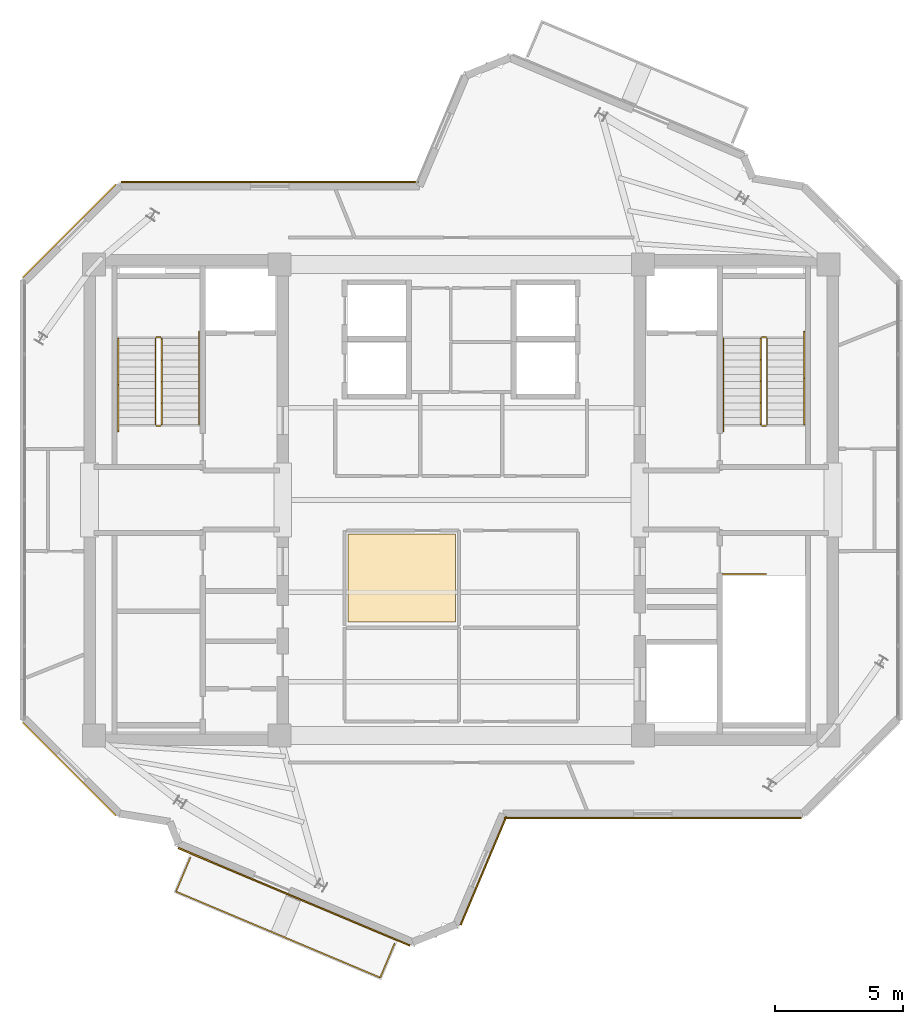
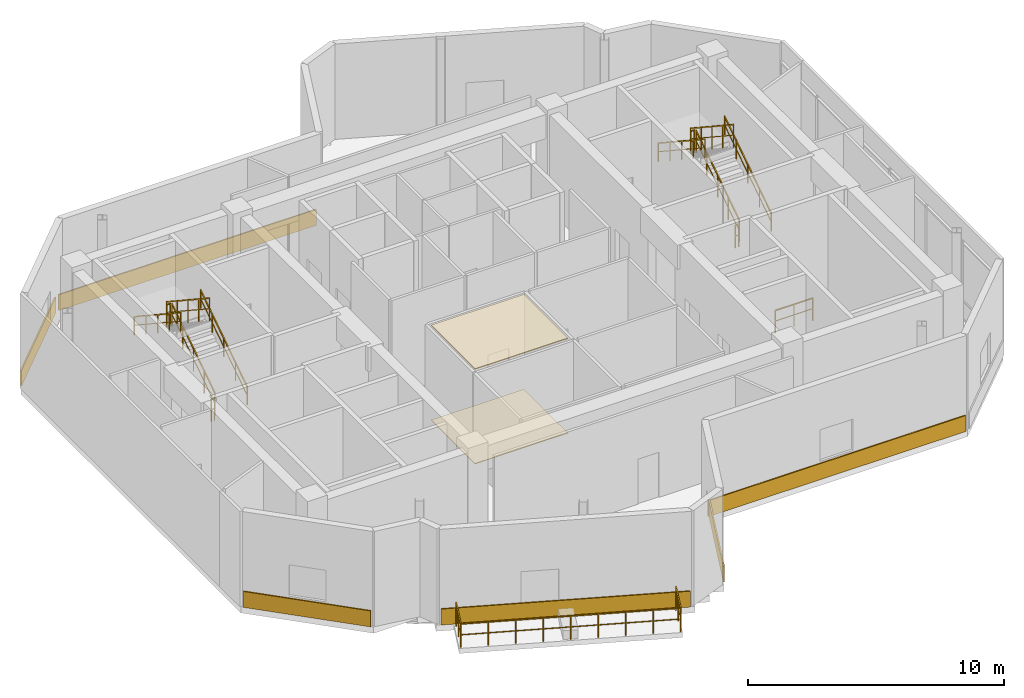
# One storey, part 10 of 11: 16 railings, 8 coverings.
"""IFC4 building model written with IfcOpenShell, lengths in metres."""

import ifcopenshell
import ifcopenshell.guid

model = None  # the IFC model being written
_history = None  # IfcOwnerHistory: only IFC2X3 demands one
_inside = {}  # id of a spatial element -> (the spatial element, [elements in it])
_under = {}  # id of a project, library or spatial element -> (it, [spatial elements below it])
_declared = {}  # id of a project -> (the project, [libraries it declares])
_typed = {}  # id of a type object -> (the type object, [elements of that type])
_made_of = {}  # id of a material, layer set ... -> (it, [elements and type objects made of it])


def new_model(schema):
    """Start an empty IFC model of exactly this schema.

    Asked for "IFC4X3", IfcOpenShell would pick the latest addendum, in which some entities
    have other attributes; the version numbers below select the first issue.
    IFC2X3 requires an IfcOwnerHistory on every rooted entity: one is made here for all.
    """
    global model, _history
    if schema == "IFC4X3":
        model = ifcopenshell.file(schema_version=(4, 3, 0, 0))
    else:
        model = ifcopenshell.file(schema=schema)
    _inside.clear()
    _under.clear()
    _declared.clear()
    _typed.clear()
    _made_of.clear()
    _history = None
    if model.schema == "IFC2X3":
        org = make("IfcOrganization", Name="unknown")
        user = make(
            "IfcPersonAndOrganization",
            ThePerson=make("IfcPerson", FamilyName="unknown"),
            TheOrganization=org,
        )
        app = make(
            "IfcApplication",
            ApplicationDeveloper=org,
            Version="unknown",
            ApplicationFullName="unknown",
            ApplicationIdentifier="unknown",
        )
        _history = make(
            "IfcOwnerHistory",
            OwningUser=user,
            OwningApplication=app,
            ChangeAction="ADDED",
            CreationDate=0,
        )
    return model


def make(cls, **values):
    """One entity of the class cls with the attributes given. An attribute that is None is left unset."""
    return model.create_entity(
        cls, **{name: value for name, value in values.items() if value is not None}
    )


def rooted(cls, **values):
    """An entity with a GlobalId (a new one), such as an element, a storey or a relation."""
    return make(cls, GlobalId=ifcopenshell.guid.new(), OwnerHistory=_history, **values)


def si_unit(unit_type, name, prefix=None):
    """IfcSIUnit, for example si_unit("LENGTHUNIT", "METRE", prefix="MILLI")."""
    return make("IfcSIUnit", UnitType=unit_type, Prefix=prefix, Name=name)


def assignment(units):
    """IfcUnitAssignment: the units of a project."""
    return None if units is None else make("IfcUnitAssignment", Units=units)


def point(xyz):
    """IfcCartesianPoint."""
    return None if xyz is None else make("IfcCartesianPoint", Coordinates=xyz)


def direction(xyz):
    """IfcDirection."""
    return None if xyz is None else make("IfcDirection", DirectionRatios=xyz)


def frame(location, z_axis=None, x_axis=None):
    """IfcAxis2Placement3D, a coordinate frame: its origin and axes. An axis left out is left unset."""
    return make(
        "IfcAxis2Placement3D",
        Location=point(location),
        Axis=direction(z_axis),
        RefDirection=direction(x_axis),
    )


def frame_2d(location, x_axis=None):
    """IfcAxis2Placement2D, a coordinate frame in the plane: its origin and x axis."""
    return make(
        "IfcAxis2Placement2D", Location=point(location), RefDirection=direction(x_axis)
    )


def origin():
    """The frame at (0, 0, 0) with its axes left unset."""
    return frame((0.0, 0.0, 0.0))


def origin_2d():
    """The frame at (0, 0) in the plane with its x axis left unset."""
    return frame_2d((0.0, 0.0))


def place(relative_to, where):
    """IfcLocalPlacement: puts the frame where relative to a parent placement (None: the world)."""
    return make(
        "IfcLocalPlacement", PlacementRelTo=relative_to, RelativePlacement=where
    )


def context(
    kind, dimensions, precision=None, world=None, true_north=None, identifier=None
):
    """IfcGeometricRepresentationContext, for example the 3D "Model" context."""
    return make(
        "IfcGeometricRepresentationContext",
        ContextIdentifier=identifier,
        ContextType=kind,
        CoordinateSpaceDimension=dimensions,
        Precision=precision,
        WorldCoordinateSystem=world,
        TrueNorth=true_north,
    )


def subcontext(parent, identifier, kind, view, scale=None):
    """IfcGeometricRepresentationSubContext, for example "Body" below "Model"."""
    return make(
        "IfcGeometricRepresentationSubContext",
        ContextIdentifier=identifier,
        ContextType=kind,
        ParentContext=parent,
        TargetScale=scale,
        TargetView=view,
    )


def project(units=None, contexts=None):
    """IfcProject with its units and contexts."""
    return rooted(
        "IfcProject",
        Name="project",
        RepresentationContexts=contexts,
        UnitsInContext=assignment(units),
    )


def spatial(cls, under=None, at=None, **own):
    """A site, building, storey or space (cls), placed at a placement, below another one or the project."""
    s = rooted(cls, ObjectPlacement=at, **own)
    if under is not None:
        _under.setdefault(under.id(), (under, []))[1].append(s)
    return s


def polyline(points):
    """IfcPolyline through the points."""
    return make("IfcPolyline", Points=[point(p) for p in points])


def profile(cls, at=None, kind="AREA", **sizes):
    """A parametric profile (cls). Its sizes go by their IFC names, for example OverallWidth=200.0."""
    return make(cls, ProfileType=kind, Position=at, **sizes)


def rectangle(**sizes):
    """IfcRectangleProfileDef."""
    return profile("IfcRectangleProfileDef", **sizes)


def outline(outer, holes=None, kind="AREA"):
    """IfcArbitraryClosedProfileDef: a profile drawn as a closed curve; with holes, ...WithVoids."""
    if holes is None:
        return make("IfcArbitraryClosedProfileDef", ProfileType=kind, OuterCurve=outer)
    return make(
        "IfcArbitraryProfileDefWithVoids",
        ProfileType=kind,
        OuterCurve=outer,
        InnerCurves=holes,
    )


def extrude(swept, where, along, depth):
    """IfcExtrudedAreaSolid: the profile swept, set in the frame where, extruded along a direction by depth."""
    return make(
        "IfcExtrudedAreaSolid",
        SweptArea=swept,
        Position=where,
        ExtrudedDirection=direction(along),
        Depth=depth,
    )


def shape(context_of_items, identifier, shape_type, items):
    """IfcShapeRepresentation: the items that make up one representation, for example the "Body"."""
    return make(
        "IfcShapeRepresentation",
        ContextOfItems=context_of_items,
        RepresentationIdentifier=identifier,
        RepresentationType=shape_type,
        Items=items,
    )


def source(mapping_origin, context_of_items, identifier, shape_type, items):
    """IfcRepresentationMap: a shape defined once, which mapped items show again and again."""
    return make(
        "IfcRepresentationMap",
        MappingOrigin=mapping_origin,
        MappedRepresentation=shape(context_of_items, identifier, shape_type, items),
    )


def transform(
    local_origin,
    x_axis=None,
    y_axis=None,
    z_axis=None,
    scale=None,
    scale2=None,
    scale3=None,
    uniform=True,
):
    """IfcCartesianTransformationOperator3D, or its non-uniform kind. x_axis, y_axis, z_axis: its Axis1, 2, 3."""
    if uniform:
        return make(
            "IfcCartesianTransformationOperator3D",
            Axis1=direction(x_axis),
            Axis2=direction(y_axis),
            LocalOrigin=point(local_origin),
            Scale=scale,
            Axis3=direction(z_axis),
        )
    return make(
        "IfcCartesianTransformationOperator3DnonUniform",
        Axis1=direction(x_axis),
        Axis2=direction(y_axis),
        LocalOrigin=point(local_origin),
        Scale=scale,
        Axis3=direction(z_axis),
        Scale2=scale2,
        Scale3=scale3,
    )


def mapped(mapping_source, mapping_target):
    """IfcMappedItem: shows the shape of a source again, moved by a transform."""
    return make(
        "IfcMappedItem", MappingSource=mapping_source, MappingTarget=mapping_target
    )


def material(Name=None, Category=None):
    """IfcMaterial."""
    return make("IfcMaterial", Name=Name, Category=Category)


def layer(
    of_material, thickness, ventilated=None, Name=None, Category=None, Priority=None
):
    """IfcMaterialLayer: one layer of a wall or slab, of a material (None: an air gap)."""
    return make(
        "IfcMaterialLayer",
        Material=of_material,
        LayerThickness=thickness,
        IsVentilated=ventilated,
        Name=Name,
        Category=Category,
        Priority=Priority,
    )


def layer_set(layers, Name=None):
    """IfcMaterialLayerSet."""
    return make("IfcMaterialLayerSet", MaterialLayers=layers, LayerSetName=Name)


def made_of(thing, what):
    """Note that an element or type object is made of a material, layer set ...; save() writes the relation."""
    if what is not None:
        _made_of.setdefault(what.id(), (what, []))[1].append(thing)
    return thing


def type_object(cls, material=None, **own):
    """A type object (cls), such as IfcWallType, which elements share."""
    return made_of(rooted(cls, **own), material)


def element(
    cls,
    number,
    at=None,
    inside=None,
    cuts=None,
    type_object=None,
    material=None,
    context=None,
    identifier="Body",
    shape_type=None,
    held_by="IfcProductDefinitionShape",
    body=None,
    shapes=None,
    **own,
):
    """One element of the class cls, such as IfcWall. Its Tag is "e" and its number.

    at: its placement. inside: the storey or other place that contains it. cuts: it is an
    opening in that element (IfcRelVoidsElement). A single representation is given by context,
    identifier, shape_type and body (its items); several are given by shapes. held_by: the class
    of the entity that holds the representations. save() writes the other relations.
    """
    e = rooted(cls, Tag="e%d" % number, ObjectPlacement=at, **own)
    if body is not None:
        shapes = [shape(context, identifier, shape_type, body)]
    if shapes is not None:
        e.Representation = make(held_by, Representations=shapes)
    if inside is not None:
        _inside.setdefault(inside.id(), (inside, []))[1].append(e)
    if cuts is not None:
        rooted(
            "IfcRelVoidsElement", RelatingBuildingElement=cuts, RelatedOpeningElement=e
        )
    if type_object is not None:
        _typed.setdefault(type_object.id(), (type_object, []))[1].append(e)
    return made_of(e, material)


def aggregate(whole, parts):
    """IfcRelAggregates: a whole, such as a stair, and the parts it consists of."""
    return rooted("IfcRelAggregates", RelatingObject=whole, RelatedObjects=parts)


def save(model, path):
    """Write the relations noted so far, then the file.

    IfcRelAggregates (storeys below a building ...), IfcRelContainedInSpatialStructure (elements
    in a storey), IfcRelDefinesByType, IfcRelAssociatesMaterial and IfcRelDeclares: one each for
    every whole, place, type object, material and project.
    """
    for whole, parts in _under.values():
        aggregate(whole, parts)
    for where, things in _inside.values():
        rooted(
            "IfcRelContainedInSpatialStructure",
            RelatedElements=things,
            RelatingStructure=where,
        )
    for kind, things in _typed.values():
        rooted("IfcRelDefinesByType", RelatedObjects=things, RelatingType=kind)
    for what, things in _made_of.values():
        rooted("IfcRelAssociatesMaterial", RelatedObjects=things, RelatingMaterial=what)
    for by, libraries in _declared.values():
        rooted("IfcRelDeclares", RelatingContext=by, RelatedDefinitions=libraries)
    model.write(path)


model = new_model("IFC4")

# Units and contexts
model_context = context("Model", 3, precision=1e-05, world=origin(), true_north=direction((0.0, 1.0)))
body_context = subcontext(model_context, "Body", "Model", "MODEL_VIEW")
ifc_project = project(units=[si_unit("LENGTHUNIT", "METRE"), si_unit("AREAUNIT", "SQUARE_METRE"), si_unit("VOLUMEUNIT", "CUBIC_METRE"), si_unit("PLANEANGLEUNIT", "RADIAN"), si_unit("MASSUNIT", "GRAM", prefix="KILO")], contexts=[model_context])

# Site, building, storey
site_placement = place(None, origin())
site = spatial("IfcSite", under=ifc_project, at=site_placement, CompositionType="ELEMENT")
building_placement = place(site_placement, origin())
building = spatial("IfcBuilding", under=site, at=building_placement, Name="Zahravan Cultural Tower", CompositionType="ELEMENT")
storey_placement = place(building_placement, frame((0.0, 0.0, 365.85009765625)))
storey = spatial("IfcBuildingStorey", under=building, at=storey_placement, Name="L89", CompositionType="ELEMENT", Elevation=365.85009765625)

# Coverings
ifc_material_1 = material(Name="Acoustic mineral fibreboard")
ifc_layer_1 = layer(ifc_material_1, 0.0400390625)
ifc_layer_set_1 = layer_set([ifc_layer_1], Name="Acoustic mineral fibreboard")
covering_type_1 = type_object("IfcCoveringType", Name="COV-CEIL-AC20", PredefinedType="CEILING", material=ifc_layer_set_1)
covering_1_placement = place(storey_placement, frame((0.0, 0.0, 4.510009765625)))
element("IfcCovering", 1, at=covering_1_placement, inside=storey, type_object=covering_type_1, Name="L89 Acoustic Suspended Ceiling", PredefinedType="CEILING", context=body_context, shape_type="SweptSolid", body=[
    extrude(outline(polyline([(35.77001953125, 25.669921875), (31.580078125, 25.669921875), (31.580078125, 22.22998046875), (35.77001953125, 22.22998046875), (35.77001953125, 25.669921875)])), origin(), (0.0, 0.0, 1.0), 0.039794921875),
])
ifc_material_2 = material(Name="Terrazzo flooring")
ifc_layer_2 = layer(ifc_material_2, 0.02490234375)
ifc_layer_set_2 = layer_set([ifc_layer_2], Name="Terrazzo flooring")
covering_type_2 = type_object("IfcCoveringType", Name="COV-FLR-TZ25", PredefinedType="FLOORING", material=ifc_layer_set_2)
covering_2_placement = place(storey_placement, origin())
element("IfcCovering", 2, at=covering_2_placement, inside=storey, type_object=covering_type_2, Name="L89 Polished Terrazzo Flooring", PredefinedType="FLOORING", context=body_context, shape_type="SweptSolid", body=[
    extrude(outline(polyline([(35.77001953125, 25.669921875), (31.580078125, 25.669921875), (31.580078125, 22.22998046875), (35.77001953125, 22.22998046875), (35.77001953125, 25.669921875)])), origin(), (0.0, 0.0, 1.0), 0.02490234375),
])

# Railings
ifc_material_3 = material(Name="Steel ASTM A572 Grade 50", Category="steel")
railing_type_1 = type_object("IfcRailingType", Name="RL-BAL-1150", PredefinedType="BALUSTRADE", material=ifc_material_3)
railing_1_placement = place(storey_placement, frame((32.83349609375, 8.3349609375, 0.0)))
element("IfcRailing", 3, at=railing_1_placement, inside=storey, type_object=railing_type_1, Name="L89 Edge Balustrade GRD-TR-L89-SW-01", PredefinedType="BALUSTRADE", context=body_context, shape_type="SweptSolid", body=[
    extrude(rectangle(XDim=0.05, YDim=0.05, at=origin_2d()), frame((0.0, 0.0, 1.125), z_axis=(-0.921528145431, 0.388311572295, 0.0), x_axis=(-0.388311572295, -0.921528145431, 0.0)), (0.0, 0.0, 1.0), 8.66015625),
    extrude(rectangle(XDim=0.032, YDim=0.032, at=origin_2d()), frame((0.0, 0.0, 0.597900390625), z_axis=(-0.921528145431, 0.388311572295, 0.0), x_axis=(-0.388311572295, -0.921528145431, 0.0)), (0.0, 0.0, 1.0), 8.66015625),
    extrude(rectangle(XDim=0.04, YDim=0.04, at=origin_2d()), origin(), (0.0, 0.0, 1.0), 1.14990234375),
    extrude(rectangle(XDim=0.04, YDim=0.04, at=origin_2d()), frame((-0.99755859375, 0.42041015625, 0.0)), (0.0, 0.0, 1.0), 1.14990234375),
    extrude(rectangle(XDim=0.04, YDim=0.04, at=origin_2d()), frame((-1.9951171875, 0.8408203125, 0.0)), (0.0, 0.0, 1.0), 1.14990234375),
    extrude(rectangle(XDim=0.04, YDim=0.04, at=origin_2d()), frame((-2.99267578125, 1.260986328125, 0.0)), (0.0, 0.0, 1.0), 1.14990234375),
    extrude(rectangle(XDim=0.04, YDim=0.04, at=origin_2d()), frame((-3.990234375, 1.681396484375, 0.0)), (0.0, 0.0, 1.0), 1.14990234375),
    extrude(rectangle(XDim=0.04, YDim=0.04, at=origin_2d()), frame((-4.98779296875, 2.101806640625, 0.0)), (0.0, 0.0, 1.0), 1.14990234375),
    extrude(rectangle(XDim=0.04, YDim=0.04, at=origin_2d()), frame((-5.9853515625, 2.52197265625, 0.0)), (0.0, 0.0, 1.0), 1.14990234375),
    extrude(rectangle(XDim=0.04, YDim=0.04, at=origin_2d()), frame((-6.98291015625, 2.9423828125, 0.0)), (0.0, 0.0, 1.0), 1.14990234375),
    extrude(rectangle(XDim=0.04, YDim=0.04, at=origin_2d()), frame((-7.98046875, 3.36279296875, 0.0)), (0.0, 0.0, 1.0), 1.14990234375),
])
railing_2_placement = place(storey_placement, frame((24.85302734375, 11.69775390625, 0.0)))
element("IfcRailing", 4, at=railing_2_placement, inside=storey, type_object=railing_type_1, Name="L89 Edge Balustrade GRD-TR-L89-SW-02", PredefinedType="BALUSTRADE", context=body_context, shape_type="SweptSolid", body=[
    extrude(rectangle(XDim=0.05, YDim=0.05, at=origin_2d()), frame((0.0, 0.0, 1.125), z_axis=(0.388282814851, 0.921540262653, 0.0), x_axis=(-0.921540262653, 0.388282814851, 0.0)), (0.0, 0.0, 1.0), 1.449951171875),
    extrude(rectangle(XDim=0.032, YDim=0.032, at=origin_2d()), frame((0.0, 0.0, 0.597900390625), z_axis=(0.388282814851, 0.921540262653, 0.0), x_axis=(-0.921540262653, 0.388282814851, 0.0)), (0.0, 0.0, 1.0), 1.449951171875),
    extrude(rectangle(XDim=0.04, YDim=0.04, at=origin_2d()), origin(), (0.0, 0.0, 1.0), 1.14990234375),
    extrude(rectangle(XDim=0.04, YDim=0.04, at=origin_2d()), frame((0.281494140625, 0.66796875, 0.0)), (0.0, 0.0, 1.0), 1.14990234375),
    extrude(rectangle(XDim=0.04, YDim=0.04, at=origin_2d()), frame((0.56298828125, 1.336181640625, 0.0)), (0.0, 0.0, 1.0), 1.14990234375),
])
railing_3_placement = place(storey_placement, frame((33.396484375, 9.671142578125, 0.0)))
element("IfcRailing", 5, at=railing_3_placement, inside=storey, type_object=railing_type_1, Name="L89 Edge Balustrade GRD-TR-L89-SW-03", PredefinedType="BALUSTRADE", context=body_context, shape_type="SweptSolid", body=[
    extrude(rectangle(XDim=0.05, YDim=0.05, at=origin_2d()), frame((0.0, 0.0, 1.125), z_axis=(-0.388282814851, -0.921540262653, 0.0), x_axis=(0.921540262653, -0.388282814851, 0.0)), (0.0, 0.0, 1.0), 1.449951171875),
    extrude(rectangle(XDim=0.032, YDim=0.032, at=origin_2d()), frame((0.0, 0.0, 0.597900390625), z_axis=(-0.388282814851, -0.921540262653, 0.0), x_axis=(0.921540262653, -0.388282814851, 0.0)), (0.0, 0.0, 1.0), 1.449951171875),
    extrude(rectangle(XDim=0.04, YDim=0.04, at=origin_2d()), origin(), (0.0, 0.0, 1.0), 1.14990234375),
    extrude(rectangle(XDim=0.04, YDim=0.04, at=origin_2d()), frame((-0.281494140625, -0.66796875, 0.0)), (0.0, 0.0, 1.0), 1.14990234375),
    extrude(rectangle(XDim=0.04, YDim=0.04, at=origin_2d()), frame((-0.56298828125, -1.336181640625, 0.0)), (0.0, 0.0, 1.0), 1.14990234375),
])
railing_type_2 = type_object("IfcRailingType", Name="RL-STAIR-GRD1150", PredefinedType="BALUSTRADE", material=ifc_material_3)
railing_4_placement = place(storey_placement, frame((24.300048828125, 29.949951171875, 0.1845703125)))
element("IfcRailing", 6, at=railing_4_placement, inside=storey, type_object=railing_type_2, Name="L89 ST-W1 stair guard 1", PredefinedType="BALUSTRADE", context=body_context, shape_type="SweptSolid", body=[
    extrude(rectangle(XDim=0.05, YDim=0.05, at=origin_2d()), frame((0.0, 0.0, 1.0751953125), z_axis=(0.0, 0.834876476806, 0.550437342915), x_axis=(-1.0, 0.0, 0.0)), (0.0, 0.0, 1.0), 4.024658203125),
    extrude(rectangle(XDim=0.032, YDim=0.032, at=origin_2d()), frame((0.0, 0.0, 0.572021484375), z_axis=(0.0, 0.834876476806, 0.550437342915), x_axis=(-1.0, 0.0, 0.0)), (0.0, 0.0, 1.0), 4.024658203125),
    extrude(rectangle(XDim=0.04, YDim=0.04, at=origin_2d()), origin(), (0.0, 0.0, 1.0), 1.10009765625),
    extrude(rectangle(XDim=0.04, YDim=0.04, at=origin_2d()), frame((0.0, 0.840087890625, 0.5537109375)), (0.0, 0.0, 1.0), 1.10009765625),
    extrude(rectangle(XDim=0.04, YDim=0.04, at=origin_2d()), frame((0.0, 1.68017578125, 1.107666015625)), (0.0, 0.0, 1.0), 1.10009765625),
    extrude(rectangle(XDim=0.04, YDim=0.04, at=origin_2d()), frame((0.0, 2.52001953125, 1.66162109375)), (0.0, 0.0, 1.0), 1.10009765625),
    extrude(rectangle(XDim=0.04, YDim=0.04, at=origin_2d()), frame((0.0, 3.360107421875, 2.21533203125)), (0.0, 0.0, 1.0), 1.10009765625),
])
railing_5_placement = place(storey_placement, frame((24.25, 33.360107421875, 2.39990234375)))
element("IfcRailing", 7, at=railing_5_placement, inside=storey, type_object=railing_type_2, Name="L89 ST-W1 stair guard 2", PredefinedType="BALUSTRADE", context=body_context, shape_type="SweptSolid", body=[
    extrude(rectangle(XDim=0.05, YDim=0.05, at=origin_2d()), frame((0.0, 0.0, 1.0751953125), z_axis=(-1.0, 0.0, 0.0), x_axis=(0.0, -1.0, 0.0)), (0.0, 0.0, 1.0), 0.14990234375),
    extrude(rectangle(XDim=0.032, YDim=0.032, at=origin_2d()), frame((0.0, 0.0, 0.572021484375), z_axis=(-1.0, 0.0, 0.0), x_axis=(0.0, -1.0, 0.0)), (0.0, 0.0, 1.0), 0.14990234375),
    extrude(rectangle(XDim=0.04, YDim=0.04, at=origin_2d()), origin(), (0.0, 0.0, 1.0), 1.10009765625),
    extrude(rectangle(XDim=0.04, YDim=0.04, at=origin_2d()), frame((-0.14990234375, 0.0, 0.0)), (0.0, 0.0, 1.0), 1.10009765625),
])
railing_6_placement = place(storey_placement, frame((24.050048828125, 33.31005859375, 2.58447265625)))
element("IfcRailing", 8, at=railing_6_placement, inside=storey, type_object=railing_type_2, Name="L89 ST-W1 stair guard 3", PredefinedType="BALUSTRADE", context=body_context, shape_type="SweptSolid", body=[
    extrude(rectangle(XDim=0.05, YDim=0.05, at=origin_2d()), frame((0.0, 0.0, 1.0751953125), z_axis=(0.0, -0.834876476806, 0.550437342915), x_axis=(1.0, 0.0, 0.0)), (0.0, 0.0, 1.0), 4.024658203125),
    extrude(rectangle(XDim=0.032, YDim=0.032, at=origin_2d()), frame((0.0, 0.0, 0.572021484375), z_axis=(0.0, -0.834876476806, 0.550437342915), x_axis=(1.0, 0.0, 0.0)), (0.0, 0.0, 1.0), 4.024658203125),
    extrude(rectangle(XDim=0.04, YDim=0.04, at=origin_2d()), origin(), (0.0, 0.0, 1.0), 1.10009765625),
    extrude(rectangle(XDim=0.04, YDim=0.04, at=origin_2d()), frame((0.0, -0.840087890625, 0.5537109375)), (0.0, 0.0, 1.0), 1.10009765625),
    extrude(rectangle(XDim=0.04, YDim=0.04, at=origin_2d()), frame((0.0, -1.68017578125, 1.107666015625)), (0.0, 0.0, 1.0), 1.10009765625),
    extrude(rectangle(XDim=0.04, YDim=0.04, at=origin_2d()), frame((0.0, -2.52001953125, 1.66162109375)), (0.0, 0.0, 1.0), 1.10009765625),
    extrude(rectangle(XDim=0.04, YDim=0.04, at=origin_2d()), frame((0.0, -3.360107421875, 2.21533203125)), (0.0, 0.0, 1.0), 1.10009765625),
])
railing_7_placement = place(storey_placement, frame((24.25, 29.89990234375, 0.0)))
element("IfcRailing", 9, at=railing_7_placement, inside=storey, type_object=railing_type_2, Name="L89 ST-W1 stair guard 4", PredefinedType="BALUSTRADE", context=body_context, shape_type="SweptSolid", body=[
    extrude(rectangle(XDim=0.05, YDim=0.05, at=origin_2d()), frame((0.0, 0.0, 1.0751953125), z_axis=(-1.0, 0.0, 0.0), x_axis=(0.0, -1.0, 0.0)), (0.0, 0.0, 1.0), 0.14990234375),
    extrude(rectangle(XDim=0.032, YDim=0.032, at=origin_2d()), frame((0.0, 0.0, 0.572021484375), z_axis=(-1.0, 0.0, 0.0), x_axis=(0.0, -1.0, 0.0)), (0.0, 0.0, 1.0), 0.14990234375),
    extrude(rectangle(XDim=0.04, YDim=0.04, at=origin_2d()), origin(), (0.0, 0.0, 1.0), 1.10009765625),
    extrude(rectangle(XDim=0.04, YDim=0.04, at=origin_2d()), frame((-0.14990234375, 0.0, 0.0)), (0.0, 0.0, 1.0), 1.10009765625),
])
railing_8_placement = place(storey_placement, frame((47.949951171875, 29.949951171875, 0.1845703125)))
element("IfcRailing", 10, at=railing_8_placement, inside=storey, type_object=railing_type_2, Name="L89 ST-E1 stair guard 1", PredefinedType="BALUSTRADE", context=body_context, shape_type="SweptSolid", body=[
    extrude(rectangle(XDim=0.05, YDim=0.05, at=origin_2d()), frame((0.0, 0.0, 1.0751953125), z_axis=(0.0, 0.834876476806, 0.550437342915), x_axis=(-1.0, 0.0, 0.0)), (0.0, 0.0, 1.0), 4.024658203125),
    extrude(rectangle(XDim=0.032, YDim=0.032, at=origin_2d()), frame((0.0, 0.0, 0.572021484375), z_axis=(0.0, 0.834876476806, 0.550437342915), x_axis=(-1.0, 0.0, 0.0)), (0.0, 0.0, 1.0), 4.024658203125),
    extrude(rectangle(XDim=0.04, YDim=0.04, at=origin_2d()), origin(), (0.0, 0.0, 1.0), 1.10009765625),
    extrude(rectangle(XDim=0.04, YDim=0.04, at=origin_2d()), frame((0.0, 0.840087890625, 0.5537109375)), (0.0, 0.0, 1.0), 1.10009765625),
    extrude(rectangle(XDim=0.04, YDim=0.04, at=origin_2d()), frame((0.0, 1.68017578125, 1.107666015625)), (0.0, 0.0, 1.0), 1.10009765625),
    extrude(rectangle(XDim=0.04, YDim=0.04, at=origin_2d()), frame((0.0, 2.52001953125, 1.66162109375)), (0.0, 0.0, 1.0), 1.10009765625),
    extrude(rectangle(XDim=0.04, YDim=0.04, at=origin_2d()), frame((0.0, 3.360107421875, 2.21533203125)), (0.0, 0.0, 1.0), 1.10009765625),
])
railing_9_placement = place(storey_placement, frame((47.89990234375, 33.360107421875, 2.39990234375)))
element("IfcRailing", 11, at=railing_9_placement, inside=storey, type_object=railing_type_2, Name="L89 ST-E1 stair guard 2", PredefinedType="BALUSTRADE", context=body_context, shape_type="SweptSolid", body=[
    extrude(rectangle(XDim=0.05, YDim=0.05, at=origin_2d()), frame((0.0, 0.0, 1.0751953125), z_axis=(-1.0, 0.0, 0.0), x_axis=(0.0, -1.0, 0.0)), (0.0, 0.0, 1.0), 0.14990234375),
    extrude(rectangle(XDim=0.032, YDim=0.032, at=origin_2d()), frame((0.0, 0.0, 0.572021484375), z_axis=(-1.0, 0.0, 0.0), x_axis=(0.0, -1.0, 0.0)), (0.0, 0.0, 1.0), 0.14990234375),
    extrude(rectangle(XDim=0.04, YDim=0.04, at=origin_2d()), origin(), (0.0, 0.0, 1.0), 1.10009765625),
    extrude(rectangle(XDim=0.04, YDim=0.04, at=origin_2d()), frame((-0.14990234375, 0.0, 0.0)), (0.0, 0.0, 1.0), 1.10009765625),
])
railing_10_placement = place(storey_placement, frame((47.699951171875, 33.31005859375, 2.58447265625)))
element("IfcRailing", 12, at=railing_10_placement, inside=storey, type_object=railing_type_2, Name="L89 ST-E1 stair guard 3", PredefinedType="BALUSTRADE", context=body_context, shape_type="SweptSolid", body=[
    extrude(rectangle(XDim=0.05, YDim=0.05, at=origin_2d()), frame((0.0, 0.0, 1.0751953125), z_axis=(0.0, -0.834876476806, 0.550437342915), x_axis=(1.0, 0.0, 0.0)), (0.0, 0.0, 1.0), 4.024658203125),
    extrude(rectangle(XDim=0.032, YDim=0.032, at=origin_2d()), frame((0.0, 0.0, 0.572021484375), z_axis=(0.0, -0.834876476806, 0.550437342915), x_axis=(1.0, 0.0, 0.0)), (0.0, 0.0, 1.0), 4.024658203125),
    extrude(rectangle(XDim=0.04, YDim=0.04, at=origin_2d()), origin(), (0.0, 0.0, 1.0), 1.10009765625),
    extrude(rectangle(XDim=0.04, YDim=0.04, at=origin_2d()), frame((0.0, -0.840087890625, 0.5537109375)), (0.0, 0.0, 1.0), 1.10009765625),
    extrude(rectangle(XDim=0.04, YDim=0.04, at=origin_2d()), frame((0.0, -1.68017578125, 1.107666015625)), (0.0, 0.0, 1.0), 1.10009765625),
    extrude(rectangle(XDim=0.04, YDim=0.04, at=origin_2d()), frame((0.0, -2.52001953125, 1.66162109375)), (0.0, 0.0, 1.0), 1.10009765625),
    extrude(rectangle(XDim=0.04, YDim=0.04, at=origin_2d()), frame((0.0, -3.360107421875, 2.21533203125)), (0.0, 0.0, 1.0), 1.10009765625),
])
railing_11_placement = place(storey_placement, frame((47.89990234375, 29.89990234375, 0.0)))
element("IfcRailing", 13, at=railing_11_placement, inside=storey, type_object=railing_type_2, Name="L89 ST-E1 stair guard 4", PredefinedType="BALUSTRADE", context=body_context, shape_type="SweptSolid", body=[
    extrude(rectangle(XDim=0.05, YDim=0.05, at=origin_2d()), frame((0.0, 0.0, 1.0751953125), z_axis=(-1.0, 0.0, 0.0), x_axis=(0.0, -1.0, 0.0)), (0.0, 0.0, 1.0), 0.14990234375),
    extrude(rectangle(XDim=0.032, YDim=0.032, at=origin_2d()), frame((0.0, 0.0, 0.572021484375), z_axis=(-1.0, 0.0, 0.0), x_axis=(0.0, -1.0, 0.0)), (0.0, 0.0, 1.0), 0.14990234375),
    extrude(rectangle(XDim=0.04, YDim=0.04, at=origin_2d()), origin(), (0.0, 0.0, 1.0), 1.10009765625),
    extrude(rectangle(XDim=0.04, YDim=0.04, at=origin_2d()), frame((-0.14990234375, 0.0, 0.0)), (0.0, 0.0, 1.0), 1.10009765625),
])
railing_12_placement = place(storey_placement, frame((46.199951171875, 24.10009765625, 0.0)))
element("IfcRailing", 14, at=railing_12_placement, inside=storey, type_object=railing_type_2, Name="L89 ST-E2 top well guard 1", PredefinedType="BALUSTRADE", context=body_context, shape_type="SweptSolid", body=[
    extrude(rectangle(XDim=0.05, YDim=0.05, at=origin_2d()), frame((0.0, 0.0, 1.0751953125), z_axis=(1.0, 0.0, 0.0), x_axis=(0.0, 1.0, 0.0)), (0.0, 0.0, 1.0), 1.699951171875),
    extrude(rectangle(XDim=0.032, YDim=0.032, at=origin_2d()), frame((0.0, 0.0, 0.572021484375), z_axis=(1.0, 0.0, 0.0), x_axis=(0.0, 1.0, 0.0)), (0.0, 0.0, 1.0), 1.699951171875),
    extrude(rectangle(XDim=0.04, YDim=0.04, at=origin_2d()), origin(), (0.0, 0.0, 1.0), 1.10009765625),
    extrude(rectangle(XDim=0.04, YDim=0.04, at=origin_2d()), frame((0.85009765625, 0.0, 0.0)), (0.0, 0.0, 1.0), 1.10009765625),
    extrude(rectangle(XDim=0.04, YDim=0.04, at=origin_2d()), frame((1.699951171875, 0.0, 0.0)), (0.0, 0.0, 1.0), 1.10009765625),
])
railing_type_3 = type_object("IfcRailingType", Name="RL-STAIR-HR900", PredefinedType="HANDRAIL", material=ifc_material_3)
railing_13_placement = place(storey_placement, frame((25.75, 29.949951171875, 0.1845703125)))
element("IfcRailing", 15, at=railing_13_placement, inside=storey, type_object=railing_type_3, Name="L89 ST-W1 stair handrail 1", PredefinedType="HANDRAIL", context=body_context, shape_type="SweptSolid", body=[
    extrude(rectangle(XDim=0.05, YDim=0.05, at=origin_2d()), frame((0.0, 0.0, 0.875), z_axis=(0.0, 0.83488217925, 0.55042869363), x_axis=(-1.0, 0.0, 0.0)), (0.0, 0.0, 1.0), 4.360107421875),
    extrude(rectangle(XDim=0.032, YDim=0.032, at=origin_2d()), frame((0.0, 0.0, 0.468017578125), z_axis=(0.0, 0.83488217925, 0.55042869363), x_axis=(-1.0, 0.0, 0.0)), (0.0, 0.0, 1.0), 4.360107421875),
    extrude(rectangle(XDim=0.04, YDim=0.04, at=origin_2d()), origin(), (0.0, 0.0, 1.0), 0.89990234375),
    extrude(rectangle(XDim=0.04, YDim=0.04, at=origin_2d()), frame((0.0, 0.91015625, 0.60009765625)), (0.0, 0.0, 1.0), 0.89990234375),
    extrude(rectangle(XDim=0.04, YDim=0.04, at=origin_2d()), frame((0.0, 1.820068359375, 1.199951171875)), (0.0, 0.0, 1.0), 0.89990234375),
    extrude(rectangle(XDim=0.04, YDim=0.04, at=origin_2d()), frame((0.0, 2.72998046875, 1.7998046875)), (0.0, 0.0, 1.0), 0.89990234375),
    extrude(rectangle(XDim=0.04, YDim=0.04, at=origin_2d()), frame((0.0, 3.64013671875, 2.39990234375)), (0.0, 0.0, 1.0), 0.89990234375),
])
railing_14_placement = place(storey_placement, frame((22.60009765625, 33.31005859375, 2.58447265625)))
element("IfcRailing", 16, at=railing_14_placement, inside=storey, type_object=railing_type_3, Name="L89 ST-W1 stair handrail 2", PredefinedType="HANDRAIL", context=body_context, shape_type="SweptSolid", body=[
    extrude(rectangle(XDim=0.05, YDim=0.05, at=origin_2d()), frame((0.0, 0.0, 0.875), z_axis=(0.0, -0.834856447115, 0.55046772177), x_axis=(1.0, 0.0, 0.0)), (0.0, 0.0, 1.0), 4.360107421875),
    extrude(rectangle(XDim=0.032, YDim=0.032, at=origin_2d()), frame((0.0, 0.0, 0.468017578125), z_axis=(0.0, -0.834856447115, 0.55046772177), x_axis=(1.0, 0.0, 0.0)), (0.0, 0.0, 1.0), 4.360107421875),
    extrude(rectangle(XDim=0.04, YDim=0.04, at=origin_2d()), origin(), (0.0, 0.0, 1.0), 0.89990234375),
    extrude(rectangle(XDim=0.04, YDim=0.04, at=origin_2d()), frame((0.0, -0.91015625, 0.60009765625)), (0.0, 0.0, 1.0), 0.89990234375),
    extrude(rectangle(XDim=0.04, YDim=0.04, at=origin_2d()), frame((0.0, -1.820068359375, 1.2001953125)), (0.0, 0.0, 1.0), 0.89990234375),
    extrude(rectangle(XDim=0.04, YDim=0.04, at=origin_2d()), frame((0.0, -2.72998046875, 1.800048828125)), (0.0, 0.0, 1.0), 0.89990234375),
    extrude(rectangle(XDim=0.04, YDim=0.04, at=origin_2d()), frame((0.0, -3.64013671875, 2.400146484375)), (0.0, 0.0, 1.0), 0.89990234375),
])
railing_15_placement = place(storey_placement, frame((49.39990234375, 29.949951171875, 0.1845703125)))
element("IfcRailing", 17, at=railing_15_placement, inside=storey, type_object=railing_type_3, Name="L89 ST-E1 stair handrail 1", PredefinedType="HANDRAIL", context=body_context, shape_type="SweptSolid", body=[
    extrude(rectangle(XDim=0.05, YDim=0.05, at=origin_2d()), frame((0.0, 0.0, 0.875), z_axis=(0.0, 0.83488217925, 0.55042869363), x_axis=(-1.0, 0.0, 0.0)), (0.0, 0.0, 1.0), 4.360107421875),
    extrude(rectangle(XDim=0.032, YDim=0.032, at=origin_2d()), frame((0.0, 0.0, 0.468017578125), z_axis=(0.0, 0.83488217925, 0.55042869363), x_axis=(-1.0, 0.0, 0.0)), (0.0, 0.0, 1.0), 4.360107421875),
    extrude(rectangle(XDim=0.04, YDim=0.04, at=origin_2d()), origin(), (0.0, 0.0, 1.0), 0.89990234375),
    extrude(rectangle(XDim=0.04, YDim=0.04, at=origin_2d()), frame((0.0, 0.91015625, 0.60009765625)), (0.0, 0.0, 1.0), 0.89990234375),
    extrude(rectangle(XDim=0.04, YDim=0.04, at=origin_2d()), frame((0.0, 1.820068359375, 1.199951171875)), (0.0, 0.0, 1.0), 0.89990234375),
    extrude(rectangle(XDim=0.04, YDim=0.04, at=origin_2d()), frame((0.0, 2.72998046875, 1.7998046875)), (0.0, 0.0, 1.0), 0.89990234375),
    extrude(rectangle(XDim=0.04, YDim=0.04, at=origin_2d()), frame((0.0, 3.64013671875, 2.39990234375)), (0.0, 0.0, 1.0), 0.89990234375),
])
railing_16_placement = place(storey_placement, frame((46.25, 33.31005859375, 2.58447265625)))
element("IfcRailing", 18, at=railing_16_placement, inside=storey, type_object=railing_type_3, Name="L89 ST-E1 stair handrail 2", PredefinedType="HANDRAIL", context=body_context, shape_type="SweptSolid", body=[
    extrude(rectangle(XDim=0.05, YDim=0.05, at=origin_2d()), frame((0.0, 0.0, 0.875), z_axis=(0.0, -0.834856447115, 0.55046772177), x_axis=(1.0, 0.0, 0.0)), (0.0, 0.0, 1.0), 4.360107421875),
    extrude(rectangle(XDim=0.032, YDim=0.032, at=origin_2d()), frame((0.0, 0.0, 0.468017578125), z_axis=(0.0, -0.834856447115, 0.55046772177), x_axis=(1.0, 0.0, 0.0)), (0.0, 0.0, 1.0), 4.360107421875),
    extrude(rectangle(XDim=0.04, YDim=0.04, at=origin_2d()), origin(), (0.0, 0.0, 1.0), 0.89990234375),
    extrude(rectangle(XDim=0.04, YDim=0.04, at=origin_2d()), frame((0.0, -0.91015625, 0.60009765625)), (0.0, 0.0, 1.0), 0.89990234375),
    extrude(rectangle(XDim=0.04, YDim=0.04, at=origin_2d()), frame((0.0, -1.820068359375, 1.2001953125)), (0.0, 0.0, 1.0), 0.89990234375),
    extrude(rectangle(XDim=0.04, YDim=0.04, at=origin_2d()), frame((0.0, -2.72998046875, 1.800048828125)), (0.0, 0.0, 1.0), 0.89990234375),
    extrude(rectangle(XDim=0.04, YDim=0.04, at=origin_2d()), frame((0.0, -3.64013671875, 2.400146484375)), (0.0, 0.0, 1.0), 0.89990234375),
])

# Coverings
ifc_material_4 = material(Name="Terracotta ceramic cladding", Category="masonry")
ifc_layer_3 = layer(ifc_material_4, 0.06005859375)
ifc_layer_set_3 = layer_set([ifc_layer_3], Name="Terracotta ceramic cladding")
covering_type_3 = type_object("IfcCoveringType", Name="COV-CLAD-TC60", PredefinedType="CLADDING", material=ifc_layer_set_3)
shared_shape_1 = source(origin(), body_context, "Body", "SweptSolid", [
    extrude(rectangle(XDim=9.820068359375, YDim=0.06005859375, at=origin_2d()), origin(), (0.0, 0.0, 1.0), 0.760009765625),
])
covering_3_placement = place(storey_placement, frame((29.466552734375, 11.495361328125, 0.02001953125), z_axis=(0.0, 0.0, 1.0), x_axis=(-0.921531406788, 0.388303832459, 0.0)))
element("IfcCovering", 19, at=covering_3_placement, inside=storey, type_object=covering_type_3, Name="L89 Terracotta Spandrel Cladding 11", PredefinedType="CLADDING", context=body_context, shape_type="MappedRepresentation", body=[
    mapped(shared_shape_1, transform((0.0, 0.0, 0.0), x_axis=(1.0, 0.0, 0.0), y_axis=(0.0, 1.0, 0.0), z_axis=(0.0, 0.0, 1.0), scale=1.0)),
])
shared_shape_2 = source(origin(), body_context, "Body", "SweptSolid", [
    extrude(rectangle(XDim=5.157958984375, YDim=0.06005859375, at=origin_2d()), origin(), (0.0, 0.0, 1.0), 0.760009765625),
])
for number, where, z_axis, x_axis, name in (
    (20, (20.682373046875, 16.482421875, 0.02001953125), (0.0, 0.0, 1.0), (-0.707106781187, 0.707106781187, 0.0), "L89 Terracotta Spandrel Cladding 14"),
    (21, (20.682373046875, 37.517578125, 0.02001953125), (0.0, 0.0, 1.0), (0.707106781187, 0.707106781187, 0.0), "L89 Terracotta Spandrel Cladding 15"),
):
    element("IfcCovering", number, at=place(storey_placement, frame(where, z_axis=z_axis, x_axis=x_axis)), inside=storey, type_object=covering_type_3, Name=name, PredefinedType="CLADDING", context=body_context, shape_type="MappedRepresentation", body=[
        mapped(shared_shape_2, transform((0.0, 0.0, 0.0), x_axis=(1.0, 0.0, 0.0), y_axis=(0.0, 1.0, 0.0), z_axis=(0.0, 0.0, 1.0), scale=1.0)),
    ])
shared_shape_3 = source(origin(), body_context, "Body", "SweptSolid", [
    extrude(rectangle(XDim=4.59375, YDim=0.06005859375, at=origin_2d()), origin(), (0.0, 0.0, 1.0), 0.760009765625),
])
covering_4_placement = place(storey_placement, frame((36.86767578125, 12.51318359375, 0.02001953125), z_axis=(0.0, 0.0, 1.0), x_axis=(-0.388319916157, -0.921524629468, 0.0)))
element("IfcCovering", 22, at=covering_4_placement, inside=storey, type_object=covering_type_3, Name="L89 Terracotta Spandrel Cladding 09", PredefinedType="CLADDING", context=body_context, shape_type="MappedRepresentation", body=[
    mapped(shared_shape_3, transform((0.0, 0.0, 0.0), x_axis=(1.0, 0.0, 0.0), y_axis=(0.0, 1.0, 0.0), z_axis=(0.0, 0.0, 1.0), scale=1.0)),
])
shared_shape_4 = source(origin(), body_context, "Body", "SweptSolid", [
    extrude(rectangle(XDim=11.614990234375, YDim=0.06005859375, at=origin_2d()), origin(), (0.0, 0.0, 1.0), 0.760009765625),
])
for number, where, z_axis, x_axis, name in (
    (23, (43.484375, 14.574951171875, 0.02001953125), (0.0, 0.0, 1.0), (-1.0, 0.0, 0.0), "L89 Terracotta Spandrel Cladding 08"),
    (24, (28.515625, 39.425048828125, 0.02001953125), (0.0, 0.0, 1.0), (1.0, 0.0, 0.0), "L89 Terracotta Spandrel Cladding 16"),
):
    element("IfcCovering", number, at=place(storey_placement, frame(where, z_axis=z_axis, x_axis=x_axis)), inside=storey, type_object=covering_type_3, Name=name, PredefinedType="CLADDING", context=body_context, shape_type="MappedRepresentation", body=[
        mapped(shared_shape_4, transform((0.0, 0.0, 0.0), x_axis=(1.0, 0.0, 0.0), y_axis=(0.0, 1.0, 0.0), z_axis=(0.0, 0.0, 1.0), scale=1.0)),
    ])

save(model, "model.ifc")
